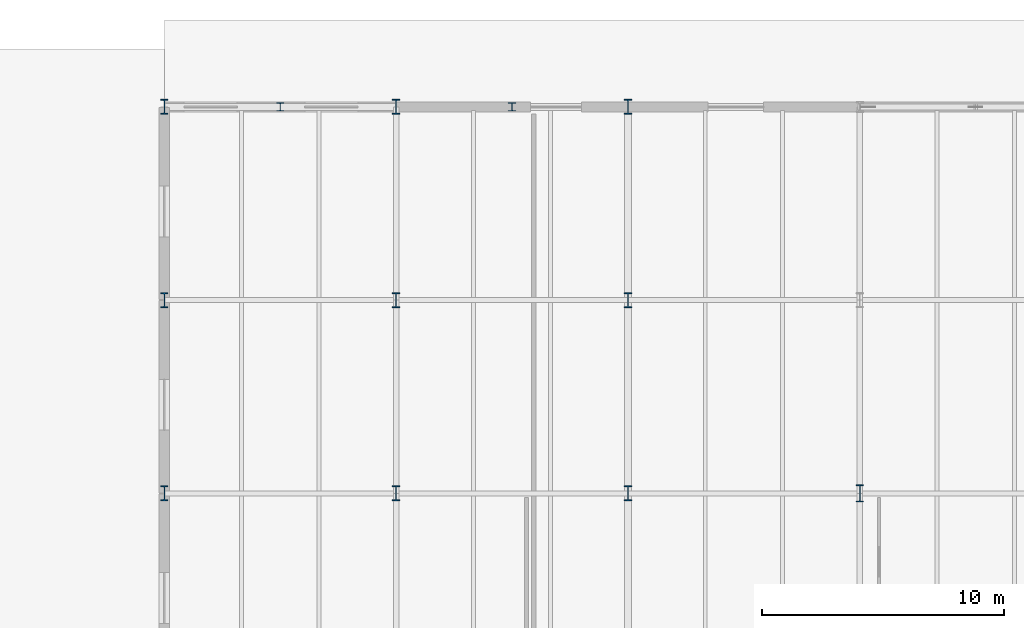
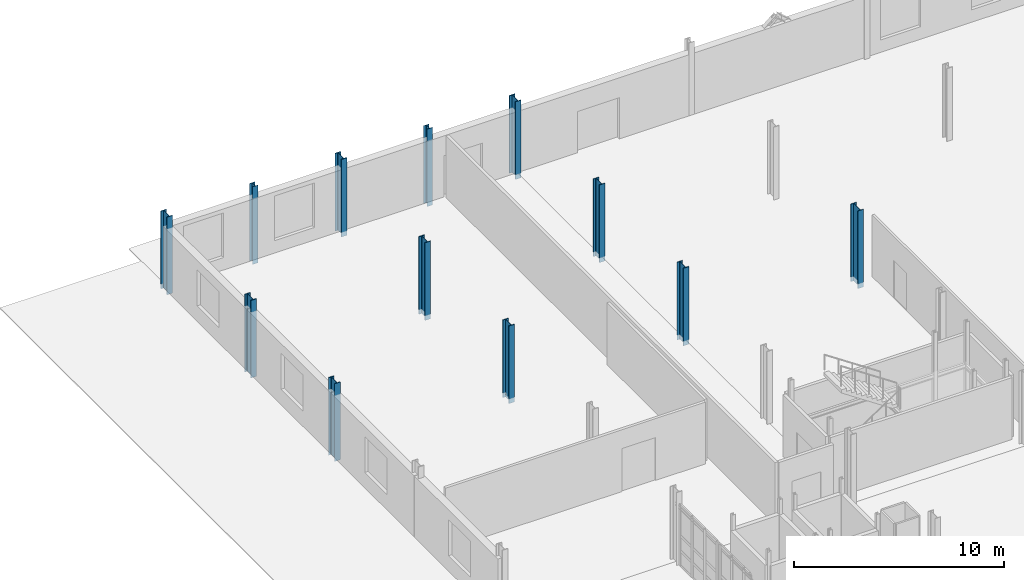
# One storey, part 16 of 78: 12 columns.
"""IFC4 building model written with IfcOpenShell, lengths in metres."""

from ifc_helpers import new_model, si_unit, direction, frame, origin, origin_2d, place, context, subcontext, project, spatial, i_section, extrude, material, material_profile, profile_set, type_object, element, save


model = new_model("IFC4")

# Units and contexts
model_context = context("Model", 3, precision=1e-05, world=origin(), true_north=direction((0.0, 1.0)))
body_context = subcontext(model_context, "Body", "Model", "MODEL_VIEW")
ifc_project = project(units=[si_unit("LENGTHUNIT", "METRE"), si_unit("AREAUNIT", "SQUARE_METRE"), si_unit("VOLUMEUNIT", "CUBIC_METRE"), si_unit("PLANEANGLEUNIT", "RADIAN"), si_unit("MASSUNIT", "GRAM", prefix="KILO")], contexts=[model_context])

# Site, building, storey
site_placement = place(None, origin())
site = spatial("IfcSite", under=ifc_project, at=site_placement, CompositionType="ELEMENT")
building_placement = place(site_placement, origin())
building = spatial("IfcBuilding", under=site, at=building_placement, Name="Alderhovde Museum", CompositionType="ELEMENT")
storey_placement = place(building_placement, origin())
storey = spatial("IfcBuildingStorey", under=building, at=storey_placement, Name="L00", CompositionType="ELEMENT", Elevation=0.0)

# Columns
ifc_material_1 = material(Name="Steel S355J2", Category="steel")
ifc_material_profile_1 = material_profile(ifc_material_1, i_section(OverallWidth=0.300048828125, OverallDepth=0.699951171875, WebThickness=0.01708984375, FlangeThickness=0.031982421875, FilletRadius=0.027099609375, at=origin_2d()), Name="HEB 700")
ifc_profile_set_1 = profile_set([ifc_material_profile_1], Name="Steel S355J2")
column_type_1 = type_object("IfcColumnType", Name="COL-HEB700", PredefinedType="COLUMN", material=ifc_profile_set_1)
column_placement = place(storey_placement, frame((38.39990234375, 96.0, -0.280029296875), z_axis=(0.0, 0.0, 1.0), x_axis=(1.0, 0.0, 0.0)))
element("IfcColumn", 1, at=column_placement, inside=storey, type_object=column_type_1, Name="L00 Column (38.4, 96.0)", PredefinedType="COLUMN", context=body_context, shape_type="SweptSolid", body=[
    extrude(i_section(OverallWidth=0.300048828125, OverallDepth=0.699951171875, WebThickness=0.01708984375, FlangeThickness=0.031982421875, FilletRadius=0.027099609375, at=origin_2d()), origin(), (0.0, 0.0, 1.0), 4.52001953125),
])
ifc_material_2 = material(Name="Steel S355J2", Category="steel")
ifc_material_profile_2 = material_profile(ifc_material_2, i_section(OverallWidth=0.304931640625, OverallDepth=0.6201171875, WebThickness=0.02099609375, FlangeThickness=0.0400390625, FilletRadius=0.027099609375, at=origin_2d()), Name="HEM 600")
ifc_profile_set_2 = profile_set([ifc_material_profile_2], Name="Steel S355J2")
column_type_2 = type_object("IfcColumnType", Name="COL-HEM600", PredefinedType="COLUMN", material=ifc_profile_set_2)
for number, where, z_axis, x_axis, name in (
    (2, (9.60009765625, 96.0, -0.280029296875), (0.0, 0.0, 1.0), (1.0, 0.0, 0.0), "L00 Column (9.6, 96.0)"),
    (3, (9.60009765625, 104.0, -0.280029296875), (0.0, 0.0, 1.0), (1.0, 0.0, 0.0), "L00 Column (9.6, 104.0)"),
    (4, (9.60009765625, 112.0, -0.280029296875), (0.0, 0.0, 1.0), (1.0, 0.0, 0.0), "L00 Column (9.6, 112.0)"),
    (5, (19.199951171875, 96.0, -0.280029296875), (0.0, 0.0, 1.0), (1.0, 0.0, 0.0), "L00 Column (19.2, 96.0)"),
    (6, (19.199951171875, 104.0, -0.280029296875), (0.0, 0.0, 1.0), (1.0, 0.0, 0.0), "L00 Column (19.2, 104.0)"),
    (7, (19.199951171875, 112.0, -0.280029296875), (0.0, 0.0, 1.0), (1.0, 0.0, 0.0), "L00 Column (19.2, 112.0)"),
    (8, (28.800048828125, 96.0, -0.280029296875), (0.0, 0.0, 1.0), (1.0, 0.0, 0.0), "L00 Column (28.8, 96.0)"),
    (9, (28.800048828125, 104.0, -0.280029296875), (0.0, 0.0, 1.0), (1.0, 0.0, 0.0), "L00 Column (28.8, 104.0)"),
    (10, (28.800048828125, 112.0, -0.280029296875), (0.0, 0.0, 1.0), (1.0, 0.0, 0.0), "L00 Column (28.8, 112.0)"),
):
    element("IfcColumn", number, at=place(storey_placement, frame(where, z_axis=z_axis, x_axis=x_axis)), inside=storey, type_object=column_type_2, Name=name, PredefinedType="COLUMN", context=body_context, shape_type="SweptSolid", body=[
        extrude(i_section(OverallWidth=0.304931640625, OverallDepth=0.6201171875, WebThickness=0.02099609375, FlangeThickness=0.0400390625, FilletRadius=0.027099609375, at=origin_2d()), origin(), (0.0, 0.0, 1.0), 4.52001953125),
    ])
ifc_material_3 = material(Name="Steel S355J2", Category="steel")
ifc_material_profile_3 = material_profile(ifc_material_3, i_section(OverallWidth=0.300048828125, OverallDepth=0.330078125, WebThickness=0.009521484375, FlangeThickness=0.0166015625, FilletRadius=0.027099609375, at=origin_2d()), Name="HEA 340")
ifc_profile_set_3 = profile_set([ifc_material_profile_3], Name="Steel S355J2")
column_type_3 = type_object("IfcColumnType", Name="PIL-HEA340", PredefinedType="PILASTER", material=ifc_profile_set_3)
for number, where, z_axis, x_axis, name in (
    (11, (14.39990234375, 112.0, -0.280029296875), (0.0, 0.0, 1.0), (1.0, 0.0, 0.0), "L00 Structural Pilaster (14.4, 112.0)"),
    (12, (24.0, 112.0, -0.280029296875), (0.0, 0.0, 1.0), (1.0, 0.0, 0.0), "L00 Structural Pilaster (24.0, 112.0)"),
):
    element("IfcColumn", number, at=place(storey_placement, frame(where, z_axis=z_axis, x_axis=x_axis)), inside=storey, type_object=column_type_3, Name=name, PredefinedType="PILASTER", context=body_context, shape_type="SweptSolid", body=[
        extrude(i_section(OverallWidth=0.300048828125, OverallDepth=0.330078125, WebThickness=0.009521484375, FlangeThickness=0.0166015625, FilletRadius=0.027099609375, at=origin_2d()), origin(), (0.0, 0.0, 1.0), 4.52001953125),
    ])

save(model, "model.ifc")
